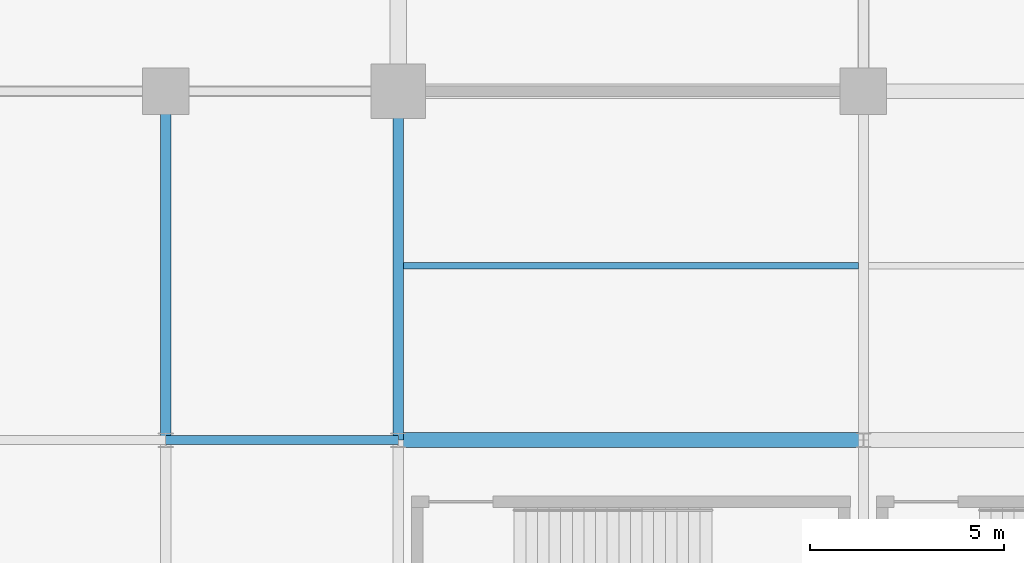
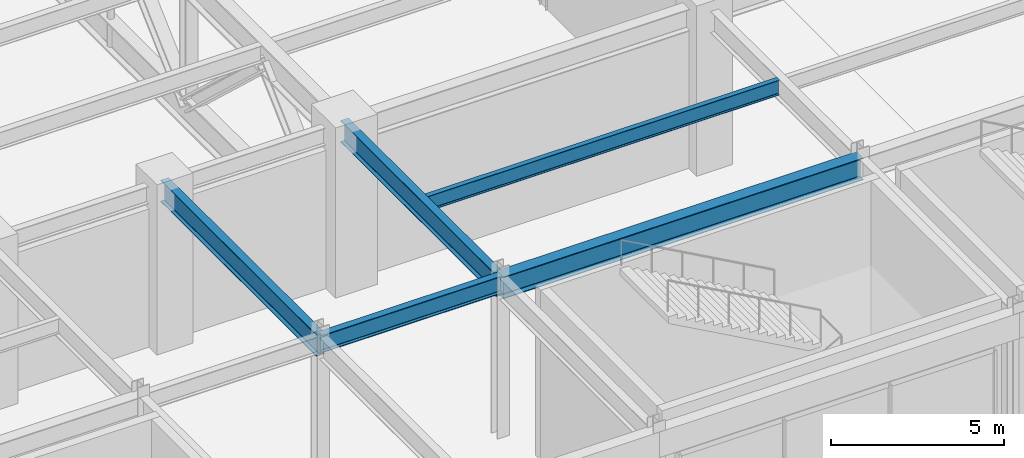
# One storey, part 35 of 108: 5 beams.
"""IFC4 building model written with IfcOpenShell, lengths in metres."""

from ifc_helpers import new_model, si_unit, direction, frame, origin, origin_2d, place, context, subcontext, project, spatial, i_section, extrude, material, material_profile, profile_set, type_object, element, save


model = new_model("IFC4")

# Units and contexts
model_context = context("Model", 3, precision=1e-05, world=origin(), true_north=direction((0.0, 1.0)))
body_context = subcontext(model_context, "Body", "Model", "MODEL_VIEW")
ifc_project = project(units=[si_unit("LENGTHUNIT", "METRE"), si_unit("AREAUNIT", "SQUARE_METRE"), si_unit("VOLUMEUNIT", "CUBIC_METRE"), si_unit("PLANEANGLEUNIT", "RADIAN"), si_unit("MASSUNIT", "GRAM", prefix="KILO")], contexts=[model_context])

# Site, building, storey
site_placement = place(None, origin())
site = spatial("IfcSite", under=ifc_project, at=site_placement, CompositionType="ELEMENT")
building_placement = place(site_placement, origin())
building = spatial("IfcBuilding", under=site, at=building_placement, Name="Kaldorvane Square Convention Centre", CompositionType="ELEMENT")
storey_placement = place(building_placement, frame((0.0, 0.0, 12.0)))
storey = spatial("IfcBuildingStorey", under=building, at=storey_placement, Name="L02", CompositionType="ELEMENT", Elevation=12.0)

# Beams
ifc_material = material(Name="Steel ASTM A992 Gr. 50", Category="steel")
ifc_material_profile_1 = material_profile(ifc_material, i_section(OverallWidth=0.2303009033203125, OverallDepth=0.61749267578125, WebThickness=0.0131072998046875, FlangeThickness=0.0222015380859375, FilletRadius=0.0126953125, at=origin_2d()), Name="W24X94")
ifc_profile_set_1 = profile_set([ifc_material_profile_1], Name="Steel ASTM A992 Gr. 50")
beam_type_1 = type_object("IfcBeamType", Name="BM-GR-W24X94", PredefinedType="BEAM", material=ifc_profile_set_1)
beam_1_placement = place(storey_placement, frame((96.0, 9.0, 5.3372039794921875), z_axis=(1.0, 0.0, 0.0), x_axis=(0.0, 1.0, 0.0)))
element("IfcBeam", 1, at=beam_1_placement, inside=storey, type_object=beam_type_1, Name="Primary Girder (L02)", PredefinedType="BEAM", context=body_context, shape_type="SweptSolid", body=[
    extrude(i_section(OverallWidth=0.2303009033203125, OverallDepth=0.61749267578125, WebThickness=0.0131072998046875, FlangeThickness=0.0222015380859375, FilletRadius=0.0126953125, at=origin_2d()), origin(), (0.0, 0.0, 1.0), 6.0),
])
ifc_material_profile_2 = material_profile(ifc_material, i_section(OverallWidth=0.2666015625, OverallDepth=0.762298583984375, WebThickness=0.014404296875, FlangeThickness=0.0216064453125, FilletRadius=0.0164947509765625, at=origin_2d()), Name="W30X116")
ifc_profile_set_2 = profile_set([ifc_material_profile_2], Name="Steel ASTM A992 Gr. 50")
beam_type_2 = type_object("IfcBeamType", Name="BM-GR-W30X116", PredefinedType="BEAM", material=ifc_profile_set_2)
for number, where, z_axis, x_axis, name in (
    (2, (96.0, 9.0, 5.264801025390625), (0.0, 1.0, 0.0), (-1.0, 0.0, 0.0), "Transverse Girder (L02)"),
    (3, (102.0, 9.0, 5.264801025390625), (0.0, 1.0, 0.0), (-1.0, 0.0, 0.0), "Transverse Girder (L02)"),
):
    element("IfcBeam", number, at=place(storey_placement, frame(where, z_axis=z_axis, x_axis=x_axis)), inside=storey, type_object=beam_type_2, Name=name, PredefinedType="BEAM", context=body_context, shape_type="SweptSolid", body=[
        extrude(i_section(OverallWidth=0.2666015625, OverallDepth=0.762298583984375, WebThickness=0.014404296875, FlangeThickness=0.0216064453125, FilletRadius=0.0164947509765625, at=origin_2d()), origin(), (0.0, 0.0, 1.0), 9.0),
    ])
ifc_material_profile_3 = material_profile(ifc_material, i_section(OverallWidth=0.380706787109375, OverallDepth=0.773193359375, WebThickness=0.0166015625, FlangeThickness=0.027099609375, FilletRadius=0.0164947509765625, at=origin_2d()), Name="W30X173")
ifc_profile_set_3 = profile_set([ifc_material_profile_3], Name="Steel ASTM A992 Gr. 50")
beam_type_3 = type_object("IfcBeamType", Name="BM-GR-W30X173", PredefinedType="BEAM", material=ifc_profile_set_3)
beam_2_placement = place(storey_placement, frame((102.0, 9.0, 5.2593994140625), z_axis=(1.0, 0.0, 0.0), x_axis=(0.0, 1.0, 0.0)))
element("IfcBeam", 4, at=beam_2_placement, inside=storey, type_object=beam_type_3, Name="Primary Girder (L02)", PredefinedType="BEAM", context=body_context, shape_type="SweptSolid", body=[
    extrude(i_section(OverallWidth=0.380706787109375, OverallDepth=0.773193359375, WebThickness=0.0166015625, FlangeThickness=0.027099609375, FilletRadius=0.0164947509765625, at=origin_2d()), origin(), (0.0, 0.0, 1.0), 12.0),
])
ifc_material_profile_4 = material_profile(ifc_material, i_section(OverallWidth=0.1658935546875, OverallDepth=0.5290985107421875, WebThickness=0.00970458984375, FlangeThickness=0.0135955810546875, FilletRadius=0.0126953125, at=origin_2d()), Name="W21X50")
ifc_profile_set_4 = profile_set([ifc_material_profile_4], Name="Steel ASTM A992 Gr. 50")
beam_type_4 = type_object("IfcBeamType", Name="BM-JS-W21X50", PredefinedType="JOIST", material=ifc_profile_set_4)
beam_3_placement = place(storey_placement, frame((102.13330078125, 13.5, 5.3813934326171875), z_axis=(1.0, 0.0, 0.0), x_axis=(0.0, 1.0, 0.0)))
element("IfcBeam", 5, at=beam_3_placement, inside=storey, type_object=beam_type_4, Name="Secondary Floor Joist (L02)", PredefinedType="JOIST", context=body_context, shape_type="SweptSolid", body=[
    extrude(i_section(OverallWidth=0.1658935546875, OverallDepth=0.5290985107421875, WebThickness=0.00970458984375, FlangeThickness=0.0135955810546875, FilletRadius=0.0126953125, at=origin_2d()), origin(), (0.0, 0.0, 1.0), 11.7333984375),
])

save(model, "model.ifc")
